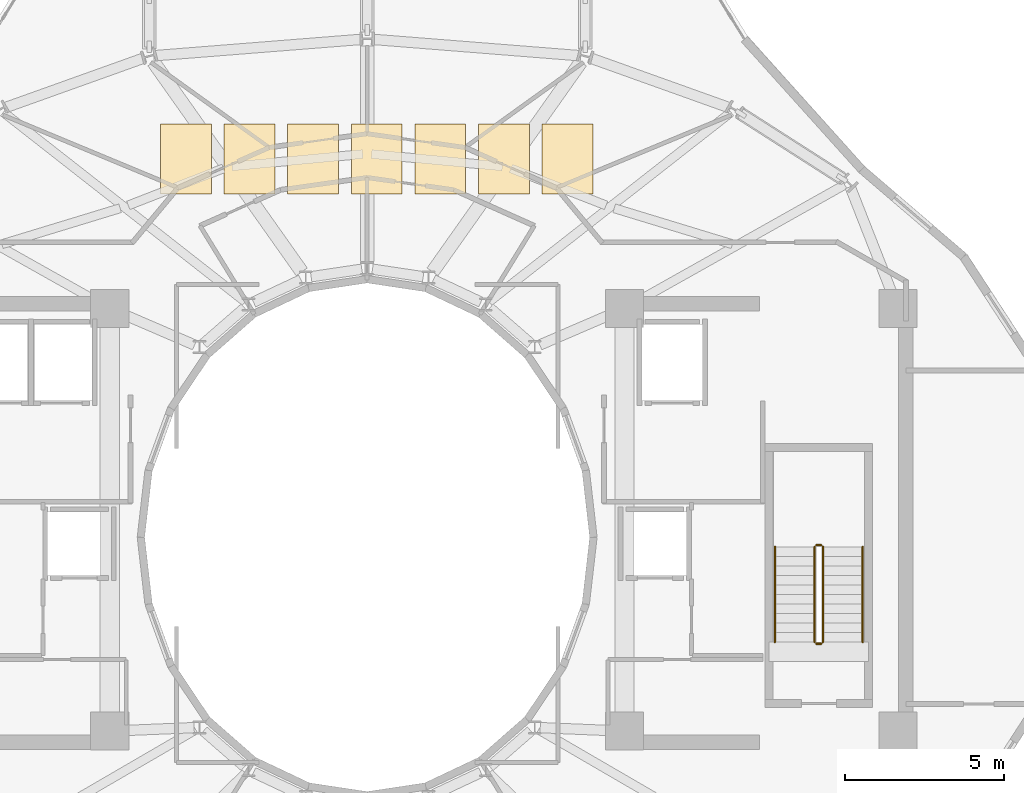
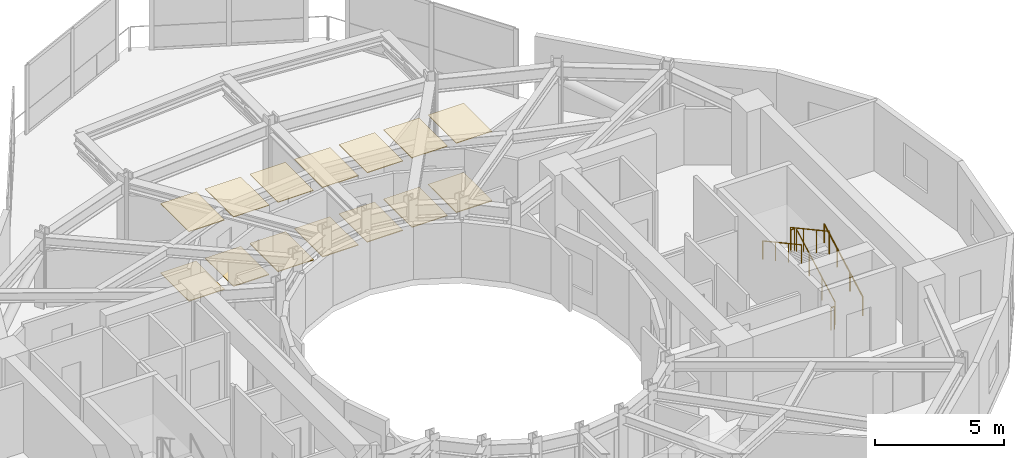
# One storey, part 18 of 19: 14 coverings, 6 railings.
"""IFC4 building model written with IfcOpenShell, lengths in metres."""

from ifc_helpers import new_model, si_unit, direction, frame, origin, origin_2d, place, context, subcontext, project, spatial, polyline, circle, outline, extrude, material, layer, layer_set, type_object, element, save


model = new_model("IFC4")

# Units and contexts
model_context = context("Model", 3, precision=1e-05, world=origin(), true_north=direction((0.0, 1.0)))
body_context = subcontext(model_context, "Body", "Model", "MODEL_VIEW")
ifc_project = project(units=[si_unit("LENGTHUNIT", "METRE"), si_unit("AREAUNIT", "SQUARE_METRE"), si_unit("VOLUMEUNIT", "CUBIC_METRE"), si_unit("PLANEANGLEUNIT", "RADIAN"), si_unit("MASSUNIT", "GRAM", prefix="KILO")], contexts=[model_context])

# Site, building, storey
site_placement = place(None, origin())
site = spatial("IfcSite", under=ifc_project, at=site_placement, CompositionType="ELEMENT")
building_placement = place(site_placement, origin())
building = spatial("IfcBuilding", under=site, at=building_placement, Name="Solvane Sanctuary Tower", CompositionType="ELEMENT")
storey_placement = place(building_placement, frame((0.0, 0.0, 249.60009765625)))
storey = spatial("IfcBuildingStorey", under=building, at=storey_placement, Name="L76", CompositionType="ELEMENT", Elevation=249.60009765625)

# Coverings
ifc_material_1 = material(Name="Acoustic Gypsum Partition Board")
ifc_layer_1 = layer(ifc_material_1, 0.02490234375, Name="Acoustic Gypsum Partition Board")
ifc_layer_set_1 = layer_set([ifc_layer_1], Name="Acoustic Gypsum Partition Board")
covering_type_1 = type_object("IfcCoveringType", Name="Covering CLG-ACOUST", PredefinedType="CEILING", material=ifc_layer_set_1)
covering_1_placement = place(storey_placement, frame((0.0, 0.0, 3.289794921875)))
element("IfcCovering", 1, at=covering_1_placement, inside=storey, type_object=covering_type_1, Name="L76 Sky Dining Acoustic Coffer 1", PredefinedType="CEILING", context=body_context, shape_type="SweptSolid", body=[
    extrude(outline(polyline([(25.5, 33.800048828125), (27.10009765625, 33.800048828125), (27.10009765625, 36.0), (25.5, 36.0), (25.5, 33.800048828125)])), origin(), (0.0, 0.0, 1.0), 0.030029296875),
])
covering_2_placement = place(storey_placement, frame((0.0, 0.0, 3.289794921875)))
element("IfcCovering", 2, at=covering_2_placement, inside=storey, type_object=covering_type_1, Name="L76 Sky Dining Acoustic Coffer 2", PredefinedType="CEILING", context=body_context, shape_type="SweptSolid", body=[
    extrude(outline(polyline([(27.5, 33.800048828125), (29.10009765625, 33.800048828125), (29.10009765625, 36.0), (27.5, 36.0), (27.5, 33.800048828125)])), origin(), (0.0, 0.0, 1.0), 0.030029296875),
])
covering_3_placement = place(storey_placement, frame((0.0, 0.0, 3.289794921875)))
element("IfcCovering", 3, at=covering_3_placement, inside=storey, type_object=covering_type_1, Name="L76 Sky Dining Acoustic Coffer 3", PredefinedType="CEILING", context=body_context, shape_type="SweptSolid", body=[
    extrude(outline(polyline([(29.5, 33.800048828125), (31.10009765625, 33.800048828125), (31.10009765625, 36.0), (29.5, 36.0), (29.5, 33.800048828125)])), origin(), (0.0, 0.0, 1.0), 0.030029296875),
])
covering_4_placement = place(storey_placement, frame((0.0, 0.0, 3.289794921875)))
element("IfcCovering", 4, at=covering_4_placement, inside=storey, type_object=covering_type_1, Name="L76 Sky Dining Acoustic Coffer 4", PredefinedType="CEILING", context=body_context, shape_type="SweptSolid", body=[
    extrude(outline(polyline([(31.5, 33.800048828125), (33.10009765625, 33.800048828125), (33.10009765625, 36.0), (31.5, 36.0), (31.5, 33.800048828125)])), origin(), (0.0, 0.0, 1.0), 0.030029296875),
])
covering_5_placement = place(storey_placement, frame((0.0, 0.0, 3.289794921875)))
element("IfcCovering", 5, at=covering_5_placement, inside=storey, type_object=covering_type_1, Name="L76 Sky Dining Acoustic Coffer 5", PredefinedType="CEILING", context=body_context, shape_type="SweptSolid", body=[
    extrude(outline(polyline([(33.5, 33.800048828125), (35.10009765625, 33.800048828125), (35.10009765625, 36.0), (33.5, 36.0), (33.5, 33.800048828125)])), origin(), (0.0, 0.0, 1.0), 0.030029296875),
])
covering_6_placement = place(storey_placement, frame((0.0, 0.0, 3.289794921875)))
element("IfcCovering", 6, at=covering_6_placement, inside=storey, type_object=covering_type_1, Name="L76 Sky Dining Acoustic Coffer 6", PredefinedType="CEILING", context=body_context, shape_type="SweptSolid", body=[
    extrude(outline(polyline([(35.5, 33.800048828125), (37.10009765625, 33.800048828125), (37.10009765625, 36.0), (35.5, 36.0), (35.5, 33.800048828125)])), origin(), (0.0, 0.0, 1.0), 0.030029296875),
])
covering_7_placement = place(storey_placement, frame((0.0, 0.0, 3.289794921875)))
element("IfcCovering", 7, at=covering_7_placement, inside=storey, type_object=covering_type_1, Name="L76 Sky Dining Acoustic Coffer 7", PredefinedType="CEILING", context=body_context, shape_type="SweptSolid", body=[
    extrude(outline(polyline([(37.5, 33.800048828125), (39.10009765625, 33.800048828125), (39.10009765625, 36.0), (37.5, 36.0), (37.5, 33.800048828125)])), origin(), (0.0, 0.0, 1.0), 0.030029296875),
])
ifc_material_2 = material(Name="Ceramic Tile Finish")
ifc_layer_2 = layer(ifc_material_2, 0.030029296875, Name="Ceramic Tile Finish")
ifc_layer_set_2 = layer_set([ifc_layer_2], Name="Ceramic Tile Finish")
covering_type_2 = type_object("IfcCoveringType", Name="Covering FLR-TERRAZZO", PredefinedType="FLOORING", material=ifc_layer_set_2)
covering_8_placement = place(storey_placement, origin())
element("IfcCovering", 8, at=covering_8_placement, inside=storey, type_object=covering_type_2, Name="L76 Sky Dining Terrazzo Inlay 1", PredefinedType="FLOORING", context=body_context, shape_type="SweptSolid", body=[
    extrude(outline(polyline([(25.5, 33.800048828125), (27.10009765625, 33.800048828125), (27.10009765625, 36.0), (25.5, 36.0), (25.5, 33.800048828125)])), origin(), (0.0, 0.0, 1.0), 0.034912109375),
])
covering_9_placement = place(storey_placement, origin())
element("IfcCovering", 9, at=covering_9_placement, inside=storey, type_object=covering_type_2, Name="L76 Sky Dining Terrazzo Inlay 2", PredefinedType="FLOORING", context=body_context, shape_type="SweptSolid", body=[
    extrude(outline(polyline([(27.5, 33.800048828125), (29.10009765625, 33.800048828125), (29.10009765625, 36.0), (27.5, 36.0), (27.5, 33.800048828125)])), origin(), (0.0, 0.0, 1.0), 0.034912109375),
])
covering_10_placement = place(storey_placement, origin())
element("IfcCovering", 10, at=covering_10_placement, inside=storey, type_object=covering_type_2, Name="L76 Sky Dining Terrazzo Inlay 3", PredefinedType="FLOORING", context=body_context, shape_type="SweptSolid", body=[
    extrude(outline(polyline([(29.5, 33.800048828125), (31.10009765625, 33.800048828125), (31.10009765625, 36.0), (29.5, 36.0), (29.5, 33.800048828125)])), origin(), (0.0, 0.0, 1.0), 0.034912109375),
])
covering_11_placement = place(storey_placement, origin())
element("IfcCovering", 11, at=covering_11_placement, inside=storey, type_object=covering_type_2, Name="L76 Sky Dining Terrazzo Inlay 4", PredefinedType="FLOORING", context=body_context, shape_type="SweptSolid", body=[
    extrude(outline(polyline([(31.5, 33.800048828125), (33.10009765625, 33.800048828125), (33.10009765625, 36.0), (31.5, 36.0), (31.5, 33.800048828125)])), origin(), (0.0, 0.0, 1.0), 0.034912109375),
])
covering_12_placement = place(storey_placement, origin())
element("IfcCovering", 12, at=covering_12_placement, inside=storey, type_object=covering_type_2, Name="L76 Sky Dining Terrazzo Inlay 5", PredefinedType="FLOORING", context=body_context, shape_type="SweptSolid", body=[
    extrude(outline(polyline([(33.5, 33.800048828125), (35.10009765625, 33.800048828125), (35.10009765625, 36.0), (33.5, 36.0), (33.5, 33.800048828125)])), origin(), (0.0, 0.0, 1.0), 0.034912109375),
])
covering_13_placement = place(storey_placement, origin())
element("IfcCovering", 13, at=covering_13_placement, inside=storey, type_object=covering_type_2, Name="L76 Sky Dining Terrazzo Inlay 6", PredefinedType="FLOORING", context=body_context, shape_type="SweptSolid", body=[
    extrude(outline(polyline([(35.5, 33.800048828125), (37.10009765625, 33.800048828125), (37.10009765625, 36.0), (35.5, 36.0), (35.5, 33.800048828125)])), origin(), (0.0, 0.0, 1.0), 0.034912109375),
])
covering_14_placement = place(storey_placement, origin())
element("IfcCovering", 14, at=covering_14_placement, inside=storey, type_object=covering_type_2, Name="L76 Sky Dining Terrazzo Inlay 7", PredefinedType="FLOORING", context=body_context, shape_type="SweptSolid", body=[
    extrude(outline(polyline([(37.5, 33.800048828125), (39.10009765625, 33.800048828125), (39.10009765625, 36.0), (37.5, 36.0), (37.5, 33.800048828125)])), origin(), (0.0, 0.0, 1.0), 0.034912109375),
])

# Railings
ifc_material_3 = material(Name="Architectural Stainless Steel 316", Category="steel")
railing_type_1 = type_object("IfcRailingType", Name="Railing GR-BALC-1150", PredefinedType="BALUSTRADE", material=ifc_material_3)
railing_1_placement = place(storey_placement, frame((46.340087890625, 19.699951171875, 0.16357421875)))
element("IfcRailing", 15, at=railing_1_placement, inside=storey, type_object=railing_type_1, Name="L76 ST-2 stair guard 1", PredefinedType="BALUSTRADE", context=body_context, shape_type="SweptSolid", body=[
    extrude(circle(Radius=0.02392578125, at=origin_2d()), frame((0.0, 0.0, 1.076171875), z_axis=(0.0, 0.877911954615, 0.47882209634), x_axis=(-1.0, 0.0, 0.0)), (0.0, 0.0, 1.0), 3.417236328125),
    extrude(circle(Radius=0.02099609375, at=origin_2d()), origin(), (0.0, 0.0, 1.0), 1.052001953125),
    extrude(circle(Radius=0.02099609375, at=origin_2d()), frame((0.0, 1.0, 0.54541015625)), (0.0, 0.0, 1.0), 1.052001953125),
    extrude(circle(Radius=0.02099609375, at=origin_2d()), frame((0.0, 2.0, 1.0908203125)), (0.0, 0.0, 1.0), 1.052001953125),
    extrude(circle(Radius=0.02099609375, at=origin_2d()), frame((0.0, 3.0, 1.63623046875)), (0.0, 0.0, 1.0), 1.052001953125),
])
railing_2_placement = place(storey_placement, frame((46.2900390625, 22.75, 1.7998046875)))
element("IfcRailing", 16, at=railing_2_placement, inside=storey, type_object=railing_type_1, Name="L76 ST-2 stair guard 2", PredefinedType="BALUSTRADE", context=body_context, shape_type="SweptSolid", body=[
    extrude(circle(Radius=0.02392578125, at=origin_2d()), frame((0.0, 0.0, 1.076171875), z_axis=(-1.0, 0.0, 0.0), x_axis=(0.0, -1.0, 0.0)), (0.0, 0.0, 1.0), 0.16015625),
    extrude(circle(Radius=0.02099609375, at=origin_2d()), origin(), (0.0, 0.0, 1.0), 1.052001953125),
    extrude(circle(Radius=0.02099609375, at=origin_2d()), frame((-0.16015625, 0.0, 0.0)), (0.0, 0.0, 1.0), 1.052001953125),
])
railing_3_placement = place(storey_placement, frame((46.080078125, 22.699951171875, 1.963623046875)))
element("IfcRailing", 17, at=railing_3_placement, inside=storey, type_object=railing_type_1, Name="L76 ST-2 stair guard 3", PredefinedType="BALUSTRADE", context=body_context, shape_type="SweptSolid", body=[
    extrude(circle(Radius=0.02392578125, at=origin_2d()), frame((0.0, 0.0, 1.076171875), z_axis=(0.0, -0.877911954615, 0.47882209634), x_axis=(1.0, 0.0, 0.0)), (0.0, 0.0, 1.0), 3.417236328125),
    extrude(circle(Radius=0.02099609375, at=origin_2d()), origin(), (0.0, 0.0, 1.0), 1.052001953125),
    extrude(circle(Radius=0.02099609375, at=origin_2d()), frame((0.0, -1.0, 0.54541015625)), (0.0, 0.0, 1.0), 1.052001953125),
    extrude(circle(Radius=0.02099609375, at=origin_2d()), frame((0.0, -2.0, 1.0908203125)), (0.0, 0.0, 1.0), 1.052001953125),
    extrude(circle(Radius=0.02099609375, at=origin_2d()), frame((0.0, -3.0, 1.63623046875)), (0.0, 0.0, 1.0), 1.052001953125),
])
railing_4_placement = place(storey_placement, frame((46.2900390625, 19.64990234375, 0.0)))
element("IfcRailing", 18, at=railing_4_placement, inside=storey, type_object=railing_type_1, Name="L76 ST-2 stair guard 4", PredefinedType="BALUSTRADE", context=body_context, shape_type="SweptSolid", body=[
    extrude(circle(Radius=0.02392578125, at=origin_2d()), frame((0.0, 0.0, 1.076171875), z_axis=(-1.0, 0.0, 0.0), x_axis=(0.0, -1.0, 0.0)), (0.0, 0.0, 1.0), 0.16015625),
    extrude(circle(Radius=0.02099609375, at=origin_2d()), origin(), (0.0, 0.0, 1.0), 1.052001953125),
    extrude(circle(Radius=0.02099609375, at=origin_2d()), frame((-0.16015625, 0.0, 0.0)), (0.0, 0.0, 1.0), 1.052001953125),
])
railing_type_2 = type_object("IfcRailingType", Name="Railing HR-STAIR-920", PredefinedType="HANDRAIL", material=ifc_material_3)
railing_5_placement = place(storey_placement, frame((47.590087890625, 19.699951171875, 0.16357421875)))
element("IfcRailing", 19, at=railing_5_placement, inside=storey, type_object=railing_type_2, Name="L76 ST-2 stair handrail 1", PredefinedType="HANDRAIL", context=body_context, shape_type="SweptSolid", body=[
    extrude(circle(Radius=0.02392578125, at=origin_2d()), frame((0.0, 0.0, 0.8759765625), z_axis=(0.0, 0.877911954615, 0.47882209634), x_axis=(-1.0, 0.0, 0.0)), (0.0, 0.0, 1.0), 3.417236328125),
    extrude(circle(Radius=0.02099609375, at=origin_2d()), origin(), (0.0, 0.0, 1.0), 0.851806640625),
    extrude(circle(Radius=0.02099609375, at=origin_2d()), frame((0.0, 1.0, 0.54541015625)), (0.0, 0.0, 1.0), 0.851806640625),
    extrude(circle(Radius=0.02099609375, at=origin_2d()), frame((0.0, 2.0, 1.0908203125)), (0.0, 0.0, 1.0), 0.851806640625),
    extrude(circle(Radius=0.02099609375, at=origin_2d()), frame((0.0, 3.0, 1.63623046875)), (0.0, 0.0, 1.0), 0.851806640625),
])
railing_6_placement = place(storey_placement, frame((44.830078125, 22.699951171875, 1.963623046875)))
element("IfcRailing", 20, at=railing_6_placement, inside=storey, type_object=railing_type_2, Name="L76 ST-2 stair handrail 2", PredefinedType="HANDRAIL", context=body_context, shape_type="SweptSolid", body=[
    extrude(circle(Radius=0.02392578125, at=origin_2d()), frame((0.0, 0.0, 0.8759765625), z_axis=(0.0, -0.877911954615, 0.47882209634), x_axis=(1.0, 0.0, 0.0)), (0.0, 0.0, 1.0), 3.417236328125),
    extrude(circle(Radius=0.02099609375, at=origin_2d()), origin(), (0.0, 0.0, 1.0), 0.851806640625),
    extrude(circle(Radius=0.02099609375, at=origin_2d()), frame((0.0, -1.0, 0.54541015625)), (0.0, 0.0, 1.0), 0.851806640625),
    extrude(circle(Radius=0.02099609375, at=origin_2d()), frame((0.0, -2.0, 1.0908203125)), (0.0, 0.0, 1.0), 0.851806640625),
    extrude(circle(Radius=0.02099609375, at=origin_2d()), frame((0.0, -3.0, 1.63623046875)), (0.0, 0.0, 1.0), 0.851806640625),
])

save(model, "model.ifc")
